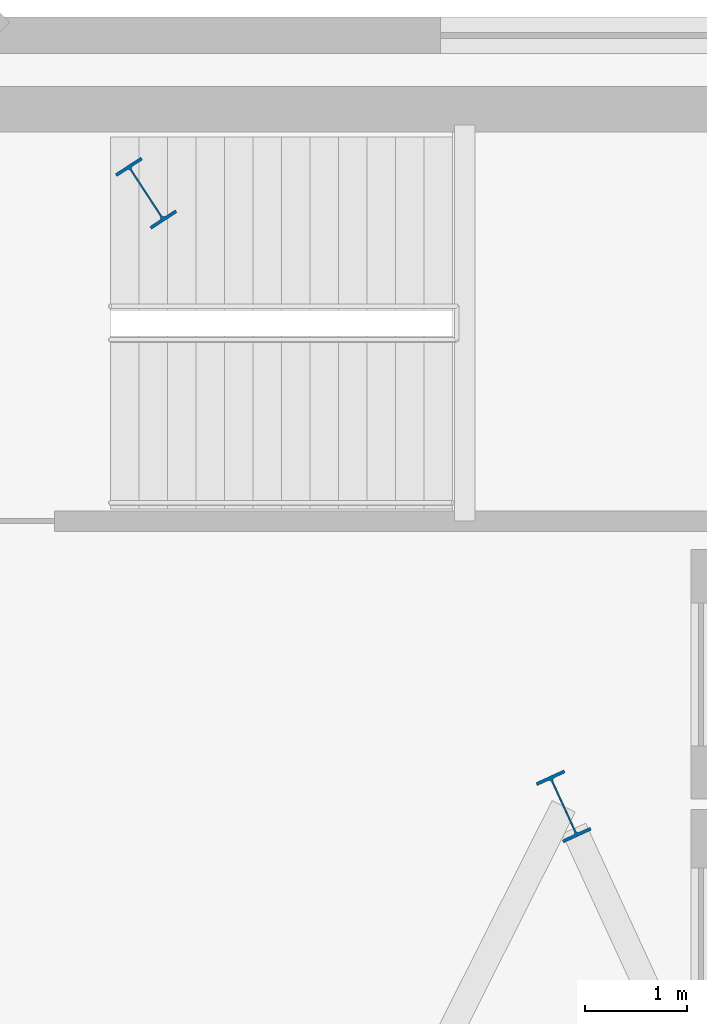
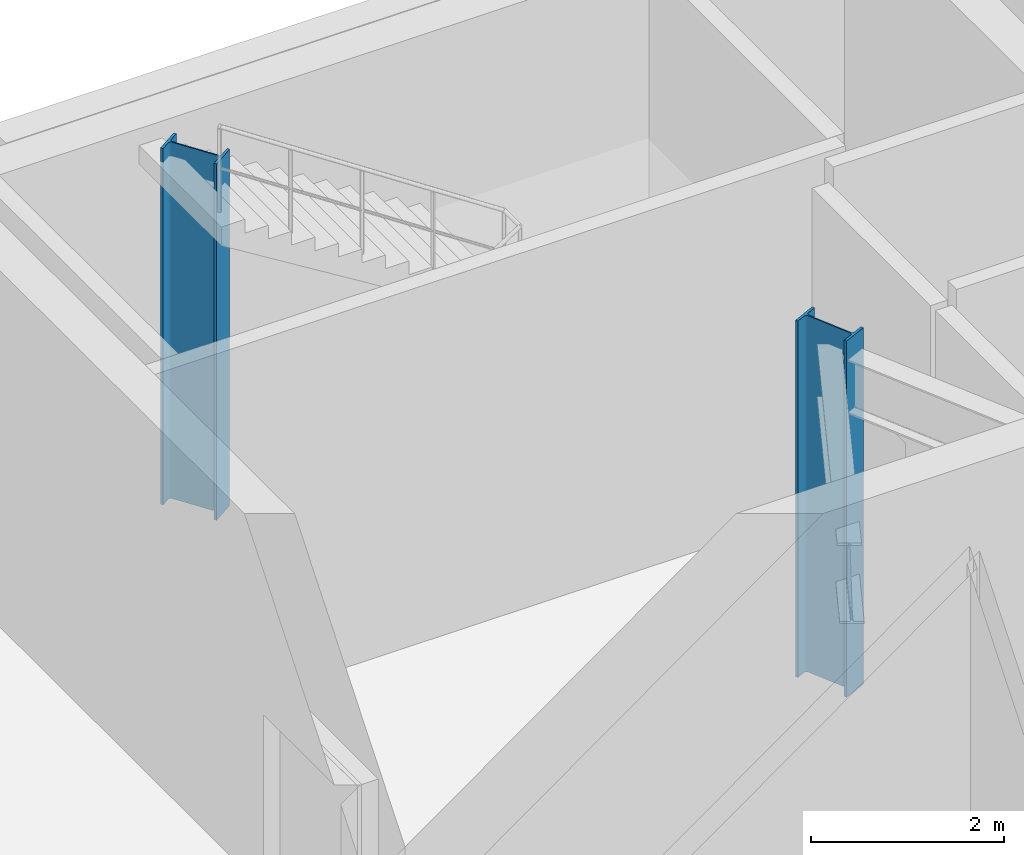
# One storey, part 12 of 48: 2 columns.
"""IFC4 building model written with IfcOpenShell, lengths in metres."""

from ifc_helpers import new_model, si_unit, direction, frame, origin, origin_2d, place, context, subcontext, project, spatial, i_section, extrude, material, material_profile, profile_set, type_object, element, save


model = new_model("IFC4")

# Units and contexts
model_context = context("Model", 3, precision=1e-05, world=origin(), true_north=direction((0.0, 1.0)))
body_context = subcontext(model_context, "Body", "Model", "MODEL_VIEW")
ifc_project = project(units=[si_unit("LENGTHUNIT", "METRE"), si_unit("AREAUNIT", "SQUARE_METRE"), si_unit("VOLUMEUNIT", "CUBIC_METRE"), si_unit("PLANEANGLEUNIT", "RADIAN"), si_unit("MASSUNIT", "GRAM", prefix="KILO")], contexts=[model_context])

# Site, building, storey
site_placement = place(None, origin())
site = spatial("IfcSite", under=ifc_project, at=site_placement, CompositionType="ELEMENT")
building_placement = place(site_placement, origin())
building = spatial("IfcBuilding", under=site, at=building_placement, Name="Glasvene Arena", CompositionType="ELEMENT")
storey_placement = place(building_placement, frame((0.0, 0.0, 19.5)))
storey = spatial("IfcBuildingStorey", under=building, at=storey_placement, Name="L04", CompositionType="ELEMENT", Elevation=19.5)

# Columns
ifc_material = material(Name="Steel S355J2", Category="steel")
ifc_material_profile = material_profile(ifc_material, i_section(OverallWidth=0.300048828125, OverallDepth=0.64990234375, WebThickness=0.01611328125, FlangeThickness=0.031005859375, FilletRadius=0.027099609375, at=origin_2d()), Name="HEB 650")
ifc_profile_set = profile_set([ifc_material_profile], Name="Steel S355J2")
column_type = type_object("IfcColumnType", Name="COL-RING-HEB650", PredefinedType="COLUMN", material=ifc_profile_set)
for number, where, z_axis, x_axis, name in (
    (1, (136.55029296875, 93.4296875, 0.0), (0.0, 0.0, 1.0), (0.909018020308, 0.416756810089, 0.0), "Bowl ring column R04 L04"),
    (2, (132.45068359375, 99.4501953125, 0.0), (0.0, 0.0, 1.0), (0.836955398099, 0.547271104292, 0.0), "Bowl ring column R05 L04"),
):
    element("IfcColumn", number, at=place(storey_placement, frame(where, z_axis=z_axis, x_axis=x_axis)), inside=storey, type_object=column_type, Name=name, PredefinedType="COLUMN", context=body_context, shape_type="SweptSolid", body=[
        extrude(i_section(OverallWidth=0.300048828125, OverallDepth=0.64990234375, WebThickness=0.01611328125, FlangeThickness=0.031005859375, FilletRadius=0.027099609375, at=origin_2d()), origin(), (0.0, 0.0, 1.0), 4.5),
    ])

save(model, "model.ifc")
